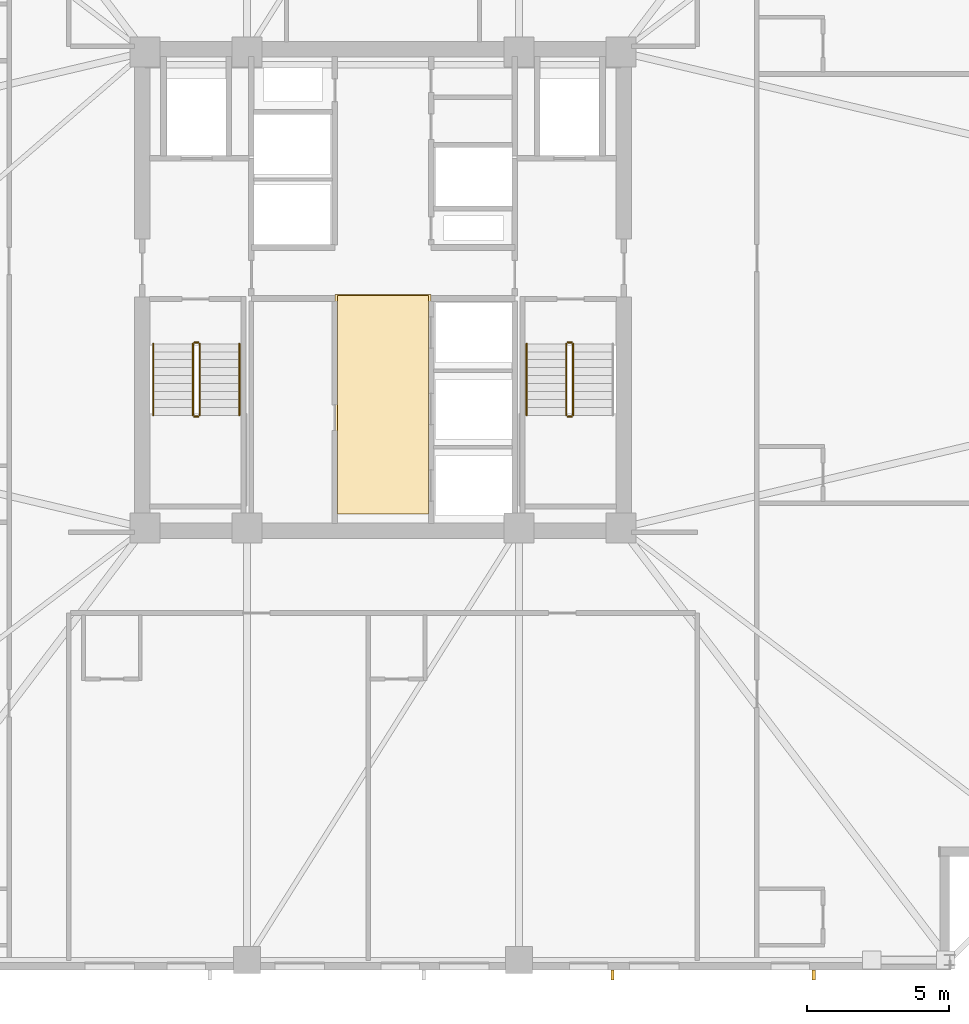
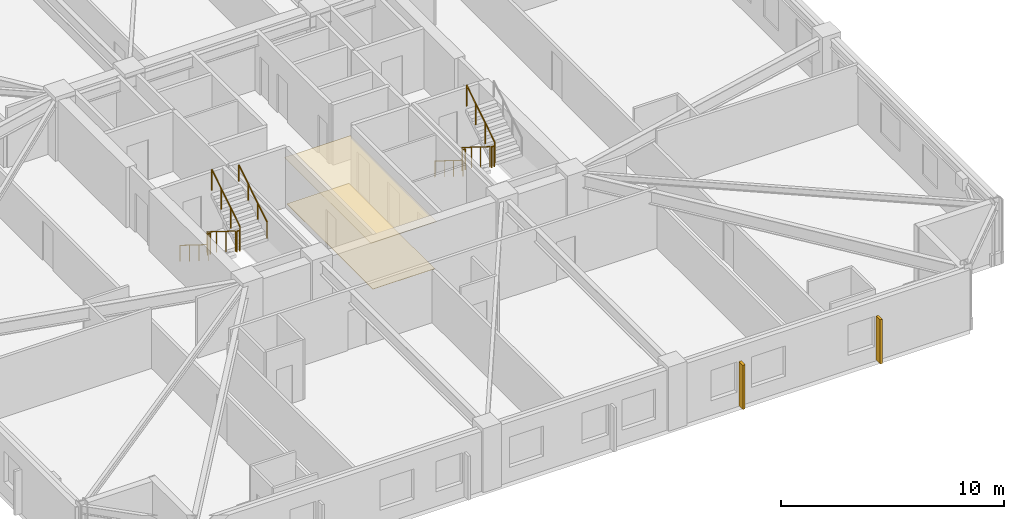
# One storey, part 7 of 10: 11 railings, 2 coverings, 2 shading devices.
"""IFC4 building model written with IfcOpenShell, lengths in metres."""

from ifc_helpers import new_model, si_unit, direction, frame, origin, origin_2d, place, context, subcontext, project, spatial, polyline, rectangle, circle, outline, extrude, material, layer, layer_set, type_object, element, save


model = new_model("IFC4")

# Units and contexts
model_context = context("Model", 3, precision=1e-05, world=origin(), true_north=direction((0.0, 1.0)))
body_context = subcontext(model_context, "Body", "Model", "MODEL_VIEW")
ifc_project = project(units=[si_unit("LENGTHUNIT", "METRE"), si_unit("AREAUNIT", "SQUARE_METRE"), si_unit("VOLUMEUNIT", "CUBIC_METRE"), si_unit("PLANEANGLEUNIT", "RADIAN"), si_unit("MASSUNIT", "GRAM", prefix="KILO")], contexts=[model_context])

# Site, building, storey
site_placement = place(None, origin())
site = spatial("IfcSite", under=ifc_project, at=site_placement, CompositionType="ELEMENT")
building_placement = place(site_placement, origin())
building = spatial("IfcBuilding", under=site, at=building_placement, Name="Cairnveth Concourse Tower", CompositionType="ELEMENT")
storey_placement = place(building_placement, frame((0.0, 0.0, 113.0)))
storey = spatial("IfcBuildingStorey", under=building, at=storey_placement, Name="L30", CompositionType="ELEMENT", Elevation=113.0)

# Covering
ifc_material_1 = material(Name="Acoustic Mineral Fibre Ceiling", Category="gypsum")
ifc_layer_1 = layer(ifc_material_1, 0.02490234375)
ifc_layer_set_1 = layer_set([ifc_layer_1], Name="Acoustic Mineral Fibre Ceiling")
covering_type_1 = type_object("IfcCoveringType", Name="ACOUSTIC MINERAL FIBRE CEILING 25", PredefinedType="CEILING", material=ifc_layer_set_1)
covering_1_placement = place(storey_placement, frame((0.0, 0.0, 2.5400390625)))
element("IfcCovering", 1, at=covering_1_placement, inside=storey, type_object=covering_type_1, Name="Lift Lobby Acoustic Ceiling L30", PredefinedType="CEILING", context=body_context, shape_type="SweptSolid", body=[
    extrude(outline(polyline([(50.300048828125, 31.10009765625), (53.699951171875, 31.10009765625), (53.699951171875, 38.85009765625), (50.300048828125, 38.85009765625), (50.300048828125, 31.10009765625)])), origin(), (0.0, 0.0, 1.0), 0.02490234375),
])

# Shading devices
ifc_material_2 = material(Name="Architectural Bronze Anodised Aluminium 6063-T6", Category="aluminium")
shading_device_type = type_object("IfcShadingDeviceType", Name="GOTHIC BRONZE VERTICAL LANCET FIN", PredefinedType="USERDEFINED", material=ifc_material_2)
for number, where, z_axis, x_axis, name in (
    (2, (67.208251953125, 14.824951171875, 0.030029296875), (0.0, 0.0, 1.0), (1.0, 0.0, 0.0), "Gothic Bronze Vertical Fin L30-9-1"),
    (3, (60.10107421875, 14.824951171875, 0.030029296875), (0.0, 0.0, 1.0), (1.0, 0.0, 0.0), "Gothic Bronze Vertical Fin L30-9-3"),
):
    element("IfcShadingDevice", number, at=place(storey_placement, frame(where, z_axis=z_axis, x_axis=x_axis)), inside=storey, type_object=shading_device_type, Name=name, ObjectType="VERTICAL FIN", PredefinedType="USERDEFINED", context=body_context, shape_type="SweptSolid", body=[
        extrude(rectangle(XDim=0.1201171875, YDim=0.360107421875, at=origin_2d()), origin(), (0.0, 0.0, 1.0), 2.419921875),
    ])

# Railings
ifc_material_3 = material(Name="Steel Grade 350", Category="steel")
railing_type_1 = type_object("IfcRailingType", Name="STAIR GUARDRAIL 1150", PredefinedType="GUARDRAIL", material=ifc_material_3)
railing_1_placement = place(storey_placement, frame((45.2900390625, 37.10009765625, 0.175048828125)))
element("IfcRailing", 4, at=railing_1_placement, inside=storey, type_object=railing_type_1, Name="L30 ST-1 stair guard 1", PredefinedType="GUARDRAIL", context=body_context, shape_type="SweptSolid", body=[
    extrude(circle(Radius=0.02392578125, at=origin_2d()), frame((0.0, 0.0, 1.1259765625), z_axis=(0.0, -0.848007534815, 0.529984170421), x_axis=(1.0, 0.0, 0.0)), (0.0, 0.0, 1.0), 2.9716796875),
    extrude(circle(Radius=0.02099609375, at=origin_2d()), origin(), (0.0, 0.0, 1.0), 1.101806640625),
    extrude(circle(Radius=0.02099609375, at=origin_2d()), frame((0.0, -0.840087890625, 0.52490234375)), (0.0, 0.0, 1.0), 1.101806640625),
    extrude(circle(Radius=0.02099609375, at=origin_2d()), frame((0.0, -1.679931640625, 1.050048828125)), (0.0, 0.0, 1.0), 1.101806640625),
    extrude(circle(Radius=0.02099609375, at=origin_2d()), frame((0.0, -2.52001953125, 1.574951171875)), (0.0, 0.0, 1.0), 1.101806640625),
])
railing_2_placement = place(storey_placement, frame((45.340087890625, 34.530029296875, 1.75)))
element("IfcRailing", 5, at=railing_2_placement, inside=storey, type_object=railing_type_1, Name="L30 ST-1 stair guard 2", PredefinedType="GUARDRAIL", context=body_context, shape_type="SweptSolid", body=[
    extrude(circle(Radius=0.02392578125, at=origin_2d()), frame((0.0, 0.0, 1.1259765625), z_axis=(1.0, 0.0, 0.0), x_axis=(0.0, 1.0, 0.0)), (0.0, 0.0, 1.0), 0.139892578125),
    extrude(circle(Radius=0.02099609375, at=origin_2d()), origin(), (0.0, 0.0, 1.0), 1.101806640625),
    extrude(circle(Radius=0.02099609375, at=origin_2d()), frame((0.139892578125, 0.0, 0.0)), (0.0, 0.0, 1.0), 1.101806640625),
])
railing_3_placement = place(storey_placement, frame((45.530029296875, 34.580078125, 1.925048828125)))
element("IfcRailing", 6, at=railing_3_placement, inside=storey, type_object=railing_type_1, Name="L30 ST-1 stair guard 3", PredefinedType="GUARDRAIL", context=body_context, shape_type="SweptSolid", body=[
    extrude(circle(Radius=0.02392578125, at=origin_2d()), frame((0.0, 0.0, 1.1259765625), z_axis=(0.0, 0.848007534815, 0.529984170421), x_axis=(-1.0, 0.0, 0.0)), (0.0, 0.0, 1.0), 2.9716796875),
    extrude(circle(Radius=0.02099609375, at=origin_2d()), origin(), (0.0, 0.0, 1.0), 1.101806640625),
    extrude(circle(Radius=0.02099609375, at=origin_2d()), frame((0.0, 0.840087890625, 0.52490234375)), (0.0, 0.0, 1.0), 1.101806640625),
    extrude(circle(Radius=0.02099609375, at=origin_2d()), frame((0.0, 1.679931640625, 1.050048828125)), (0.0, 0.0, 1.0), 1.101806640625),
    extrude(circle(Radius=0.02099609375, at=origin_2d()), frame((0.0, 2.52001953125, 1.574951171875)), (0.0, 0.0, 1.0), 1.101806640625),
])
railing_4_placement = place(storey_placement, frame((45.340087890625, 37.14990234375, 0.0)))
element("IfcRailing", 7, at=railing_4_placement, inside=storey, type_object=railing_type_1, Name="L30 ST-1 stair guard 4", PredefinedType="GUARDRAIL", context=body_context, shape_type="SweptSolid", body=[
    extrude(circle(Radius=0.02392578125, at=origin_2d()), frame((0.0, 0.0, 1.1259765625), z_axis=(1.0, 0.0, 0.0), x_axis=(0.0, 1.0, 0.0)), (0.0, 0.0, 1.0), 0.139892578125),
    extrude(circle(Radius=0.02099609375, at=origin_2d()), origin(), (0.0, 0.0, 1.0), 1.101806640625),
    extrude(circle(Radius=0.02099609375, at=origin_2d()), frame((0.139892578125, 0.0, 0.0)), (0.0, 0.0, 1.0), 1.101806640625),
])
railing_5_placement = place(storey_placement, frame((58.469970703125, 37.10009765625, 0.175048828125)))
element("IfcRailing", 8, at=railing_5_placement, inside=storey, type_object=railing_type_1, Name="L30 ST-2 stair guard 1", PredefinedType="GUARDRAIL", context=body_context, shape_type="SweptSolid", body=[
    extrude(circle(Radius=0.02392578125, at=origin_2d()), frame((0.0, 0.0, 1.1259765625), z_axis=(0.0, -0.848007534815, 0.529984170421), x_axis=(1.0, 0.0, 0.0)), (0.0, 0.0, 1.0), 2.9716796875),
    extrude(circle(Radius=0.02099609375, at=origin_2d()), origin(), (0.0, 0.0, 1.0), 1.101806640625),
    extrude(circle(Radius=0.02099609375, at=origin_2d()), frame((0.0, -0.840087890625, 0.52490234375)), (0.0, 0.0, 1.0), 1.101806640625),
    extrude(circle(Radius=0.02099609375, at=origin_2d()), frame((0.0, -1.679931640625, 1.050048828125)), (0.0, 0.0, 1.0), 1.101806640625),
    extrude(circle(Radius=0.02099609375, at=origin_2d()), frame((0.0, -2.52001953125, 1.574951171875)), (0.0, 0.0, 1.0), 1.101806640625),
])
railing_6_placement = place(storey_placement, frame((58.52001953125, 34.530029296875, 1.75)))
element("IfcRailing", 9, at=railing_6_placement, inside=storey, type_object=railing_type_1, Name="L30 ST-2 stair guard 2", PredefinedType="GUARDRAIL", context=body_context, shape_type="SweptSolid", body=[
    extrude(circle(Radius=0.02392578125, at=origin_2d()), frame((0.0, 0.0, 1.1259765625), z_axis=(1.0, 0.0, 0.0), x_axis=(0.0, 1.0, 0.0)), (0.0, 0.0, 1.0), 0.139892578125),
    extrude(circle(Radius=0.02099609375, at=origin_2d()), origin(), (0.0, 0.0, 1.0), 1.101806640625),
    extrude(circle(Radius=0.02099609375, at=origin_2d()), frame((0.139892578125, 0.0, 0.0)), (0.0, 0.0, 1.0), 1.101806640625),
])
railing_7_placement = place(storey_placement, frame((58.7099609375, 34.580078125, 1.925048828125)))
element("IfcRailing", 10, at=railing_7_placement, inside=storey, type_object=railing_type_1, Name="L30 ST-2 stair guard 3", PredefinedType="GUARDRAIL", context=body_context, shape_type="SweptSolid", body=[
    extrude(circle(Radius=0.02392578125, at=origin_2d()), frame((0.0, 0.0, 1.1259765625), z_axis=(0.0, 0.848007534815, 0.529984170421), x_axis=(-1.0, 0.0, 0.0)), (0.0, 0.0, 1.0), 2.9716796875),
    extrude(circle(Radius=0.02099609375, at=origin_2d()), origin(), (0.0, 0.0, 1.0), 1.101806640625),
    extrude(circle(Radius=0.02099609375, at=origin_2d()), frame((0.0, 0.840087890625, 0.52490234375)), (0.0, 0.0, 1.0), 1.101806640625),
    extrude(circle(Radius=0.02099609375, at=origin_2d()), frame((0.0, 1.679931640625, 1.050048828125)), (0.0, 0.0, 1.0), 1.101806640625),
    extrude(circle(Radius=0.02099609375, at=origin_2d()), frame((0.0, 2.52001953125, 1.574951171875)), (0.0, 0.0, 1.0), 1.101806640625),
])
railing_8_placement = place(storey_placement, frame((58.52001953125, 37.14990234375, 0.0)))
element("IfcRailing", 11, at=railing_8_placement, inside=storey, type_object=railing_type_1, Name="L30 ST-2 stair guard 4", PredefinedType="GUARDRAIL", context=body_context, shape_type="SweptSolid", body=[
    extrude(circle(Radius=0.02392578125, at=origin_2d()), frame((0.0, 0.0, 1.1259765625), z_axis=(1.0, 0.0, 0.0), x_axis=(0.0, 1.0, 0.0)), (0.0, 0.0, 1.0), 0.139892578125),
    extrude(circle(Radius=0.02099609375, at=origin_2d()), origin(), (0.0, 0.0, 1.0), 1.101806640625),
    extrude(circle(Radius=0.02099609375, at=origin_2d()), frame((0.139892578125, 0.0, 0.0)), (0.0, 0.0, 1.0), 1.101806640625),
])
railing_type_2 = type_object("IfcRailingType", Name="STAIR WALL HANDRAIL 900", PredefinedType="HANDRAIL", material=ifc_material_3)
railing_9_placement = place(storey_placement, frame((43.889892578125, 37.10009765625, 0.175048828125)))
element("IfcRailing", 12, at=railing_9_placement, inside=storey, type_object=railing_type_2, Name="L30 ST-1 stair handrail 1", PredefinedType="HANDRAIL", context=body_context, shape_type="SweptSolid", body=[
    extrude(circle(Radius=0.02392578125, at=origin_2d()), frame((0.0, 0.0, 0.8759765625), z_axis=(0.0, -0.848007534815, 0.529984170421), x_axis=(1.0, 0.0, 0.0)), (0.0, 0.0, 1.0), 2.9716796875),
    extrude(circle(Radius=0.02099609375, at=origin_2d()), origin(), (0.0, 0.0, 1.0), 0.851806640625),
    extrude(circle(Radius=0.02099609375, at=origin_2d()), frame((0.0, -0.840087890625, 0.52490234375)), (0.0, 0.0, 1.0), 0.851806640625),
    extrude(circle(Radius=0.02099609375, at=origin_2d()), frame((0.0, -1.679931640625, 1.050048828125)), (0.0, 0.0, 1.0), 0.851806640625),
    extrude(circle(Radius=0.02099609375, at=origin_2d()), frame((0.0, -2.52001953125, 1.574951171875)), (0.0, 0.0, 1.0), 0.851806640625),
])
railing_10_placement = place(storey_placement, frame((46.929931640625, 34.580078125, 1.925048828125)))
element("IfcRailing", 13, at=railing_10_placement, inside=storey, type_object=railing_type_2, Name="L30 ST-1 stair handrail 2", PredefinedType="HANDRAIL", context=body_context, shape_type="SweptSolid", body=[
    extrude(circle(Radius=0.02392578125, at=origin_2d()), frame((0.0, 0.0, 0.8759765625), z_axis=(0.0, 0.848007534815, 0.529984170421), x_axis=(-1.0, 0.0, 0.0)), (0.0, 0.0, 1.0), 2.9716796875),
    extrude(circle(Radius=0.02099609375, at=origin_2d()), origin(), (0.0, 0.0, 1.0), 0.851806640625),
    extrude(circle(Radius=0.02099609375, at=origin_2d()), frame((0.0, 0.840087890625, 0.52490234375)), (0.0, 0.0, 1.0), 0.851806640625),
    extrude(circle(Radius=0.02099609375, at=origin_2d()), frame((0.0, 1.679931640625, 1.050048828125)), (0.0, 0.0, 1.0), 0.851806640625),
    extrude(circle(Radius=0.02099609375, at=origin_2d()), frame((0.0, 2.52001953125, 1.574951171875)), (0.0, 0.0, 1.0), 0.851806640625),
])
railing_11_placement = place(storey_placement, frame((57.070068359375, 37.10009765625, 0.175048828125)))
element("IfcRailing", 14, at=railing_11_placement, inside=storey, type_object=railing_type_2, Name="L30 ST-2 stair handrail 1", PredefinedType="HANDRAIL", context=body_context, shape_type="SweptSolid", body=[
    extrude(circle(Radius=0.02392578125, at=origin_2d()), frame((0.0, 0.0, 0.8759765625), z_axis=(0.0, -0.848007534815, 0.529984170421), x_axis=(1.0, 0.0, 0.0)), (0.0, 0.0, 1.0), 2.9716796875),
    extrude(circle(Radius=0.02099609375, at=origin_2d()), origin(), (0.0, 0.0, 1.0), 0.851806640625),
    extrude(circle(Radius=0.02099609375, at=origin_2d()), frame((0.0, -0.840087890625, 0.52490234375)), (0.0, 0.0, 1.0), 0.851806640625),
    extrude(circle(Radius=0.02099609375, at=origin_2d()), frame((0.0, -1.679931640625, 1.050048828125)), (0.0, 0.0, 1.0), 0.851806640625),
    extrude(circle(Radius=0.02099609375, at=origin_2d()), frame((0.0, -2.52001953125, 1.574951171875)), (0.0, 0.0, 1.0), 0.851806640625),
])

# Covering
ifc_material_4 = material(Name="Vitrified Stoneware Tile Flooring", Category="masonry")
ifc_layer_2 = layer(ifc_material_4, 0.02001953125)
ifc_layer_set_2 = layer_set([ifc_layer_2], Name="Vitrified Stoneware Tile Flooring")
covering_type_2 = type_object("IfcCoveringType", Name="VITRIFIED STONEWARE LOBBY FLOORING 20", PredefinedType="FLOORING", material=ifc_layer_set_2)
covering_2_placement = place(storey_placement, origin())
element("IfcCovering", 15, at=covering_2_placement, inside=storey, type_object=covering_type_2, Name="Lift Lobby Stoneware Flooring L30", PredefinedType="FLOORING", context=body_context, shape_type="SweptSolid", body=[
    extrude(outline(polyline([(50.39990234375, 31.10009765625), (53.60009765625, 31.10009765625), (53.60009765625, 38.800048828125), (50.39990234375, 38.800048828125), (50.39990234375, 31.10009765625)])), origin(), (0.0, 0.0, 1.0), 0.02001953125),
])

save(model, "model.ifc")
